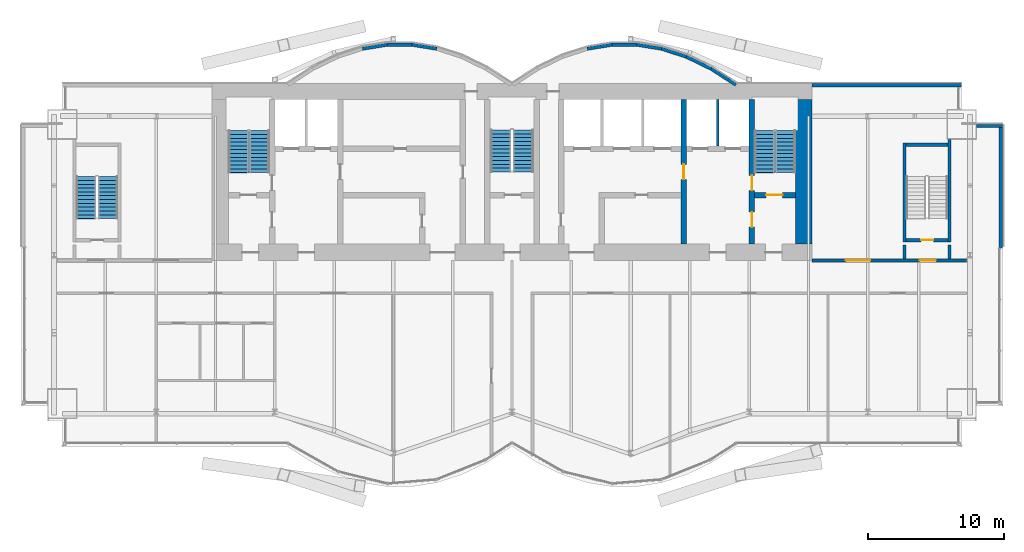
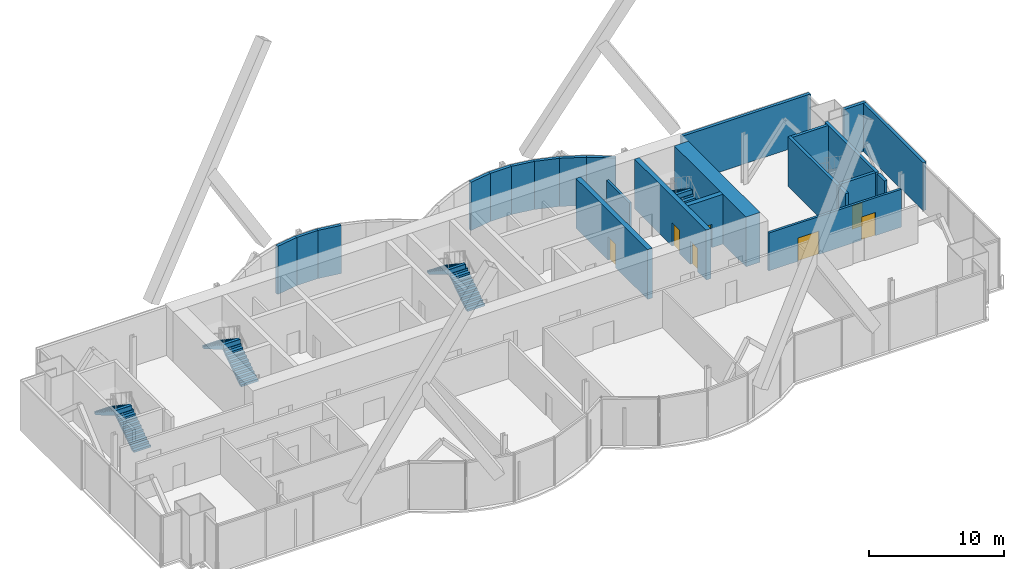
# One storey, part 16 of 20: 24 walls, 8 stair flights, 7 doors, 7 openings, 4 elements without a shape of their own.
"""IFC4 building model written with IfcOpenShell, lengths in metres."""

from ifc_helpers import new_model, si_unit, direction, frame, frame_2d, origin, place, context, subcontext, project, spatial, polyline, rectangle, outline, extrude, material, layer, layer_set, layer_usage, type_object, element, fill, aggregate, save


model = new_model("IFC4")

# Units and contexts
model_context = context("Model", 3, precision=1e-05, world=origin(), true_north=direction((0.0, 1.0)))
body_context = subcontext(model_context, "Body", "Model", "MODEL_VIEW")
ifc_project = project(units=[si_unit("LENGTHUNIT", "METRE"), si_unit("AREAUNIT", "SQUARE_METRE"), si_unit("VOLUMEUNIT", "CUBIC_METRE"), si_unit("PLANEANGLEUNIT", "RADIAN"), si_unit("MASSUNIT", "GRAM", prefix="KILO")], contexts=[model_context])

# Site, building, storey
site_placement = place(None, origin())
site = spatial("IfcSite", under=ifc_project, at=site_placement, CompositionType="ELEMENT")
building_placement = place(site_placement, origin())
building = spatial("IfcBuilding", under=site, at=building_placement, Name="Bicima Exchange Tower", CompositionType="ELEMENT")
storey_placement = place(building_placement, frame((0.0, 0.0, 306.5)))
storey = spatial("IfcBuildingStorey", under=building, at=storey_placement, Name="L69", CompositionType="ELEMENT", Elevation=306.5)

# Wall
ifc_material_1 = material(Name="Gypsum board partition")
ifc_layer_1 = layer(ifc_material_1, 0.199951171875)
ifc_layer_set_1 = layer_set([ifc_layer_1], Name="Gypsum board partition")
wall_type_1 = type_object("IfcWallType", Name="Fire-rated gypsum partition 200 EI120", PredefinedType="PARTITIONING", material=ifc_layer_set_1)
wall_1_placement = place(storey_placement, frame((15.10009765625, -4.60009765625, 0.0), z_axis=(0.0, 0.0, 1.0), x_axis=(0.0, 1.0, 0.0)))
element("IfcWall", 1, at=wall_1_placement, inside=storey, type_object=wall_type_1, Name="partition wall 20", PredefinedType="PARTITIONING", context=body_context, shape_type="SweptSolid", body=[
    extrude(rectangle(XDim=3.400146484375, YDim=0.199951171875, at=frame_2d((1.7001953125, 0.0))), origin(), (0.0, 0.0, 1.0), 3.418212890625),
])

# Wall, openings, doors
ifc_layer_2 = layer(ifc_material_1, 0.199951171875)
ifc_layer_set_2 = layer_set([ifc_layer_2], Name="Gypsum board partition")
wall_type_2 = type_object("IfcWallType", Name="Fire-rated gypsum partition 200 EI60", PredefinedType="PARTITIONING", material=ifc_layer_set_2)
wall_2_placement = place(storey_placement, frame((22.0, -13.0, 0.0), z_axis=(0.0, 0.0, 1.0), x_axis=(1.0, 0.0, 0.0)))
wall_2 = element("IfcWall", 2, at=wall_2_placement, inside=storey, type_object=wall_type_2, Name="partition wall 6", PredefinedType="PARTITIONING", context=body_context, shape_type="SweptSolid", body=[
    extrude(rectangle(XDim=11.340087890625, YDim=0.199951171875, at=frame_2d((5.669921875, 0.0))), origin(), (0.0, 0.0, 1.0), 3.418212890625),
])
opening_1_placement = place(wall_2_placement, frame((7.89990234375, 0.0, 0.0)))
opening_1 = element("IfcOpeningElement", 3, at=opening_1_placement, cuts=wall_2, Name="Opening L69-003", PredefinedType="OPENING", context=body_context, shape_type="SweptSolid", body=[
    extrude(rectangle(XDim=1.199951171875, YDim=2.10009765625, at=frame_2d((0.60009765625, 1.050048828125))), frame((0.0, 0.11181640625, 0.0), z_axis=(0.0, -1.0, 0.0), x_axis=(1.0, 0.0, 0.0)), (0.0, 0.0, 1.0), 0.223876953125),
])
opening_2_placement = place(wall_2_placement, frame((2.5, 0.0, 0.0)))
opening_2 = element("IfcOpeningElement", 4, at=opening_2_placement, cuts=wall_2, Name="Opening L69-006", PredefinedType="OPENING", context=body_context, shape_type="SweptSolid", body=[
    extrude(rectangle(XDim=1.800048828125, YDim=2.10009765625, at=frame_2d((0.89990234375, 1.050048828125))), frame((0.0, 0.11181640625, 0.0), z_axis=(0.0, -1.0, 0.0), x_axis=(1.0, 0.0, 0.0)), (0.0, 0.0, 1.0), 0.223876953125),
])
ifc_material_2 = material(Name="Steel fire door leaf", Category="steel")
door_type_1 = type_object("IfcDoorType", Name="Door 1200 swing FD30S", OperationType="SINGLE_SWING_LEFT", PredefinedType="DOOR", material=ifc_material_2)
door_1_placement = place(opening_1_placement, origin())
door_1 = element("IfcDoor", 5, at=door_1_placement, inside=storey, type_object=door_type_1, Name="Door", OperationType="SINGLE_SWING_RIGHT", OverallHeight=2.10009765625, OverallWidth=1.199951171875, PredefinedType="DOOR", context=body_context, shape_type="SweptSolid", body=[
    extrude(rectangle(XDim=1.199951171875, YDim=2.10009765625, at=frame_2d((0.60009765625, 1.050048828125))), frame((0.0, 0.02490234375, 0.0), z_axis=(0.0, -1.0, 0.0), x_axis=(1.0, 0.0, 0.0)), (0.0, 0.0, 1.0), 0.050048828125),
])
fill(opening_1, door_1)
door_type_2 = type_object("IfcDoorType", Name="Door 1800 double swing FD30S", OperationType="DOUBLE_DOOR_SINGLE_SWING", PredefinedType="DOOR", material=ifc_material_2)
door_2_placement = place(opening_2_placement, origin())
door_2 = element("IfcDoor", 6, at=door_2_placement, inside=storey, type_object=door_type_2, Name="Door", OperationType="SINGLE_SWING_LEFT", OverallHeight=2.10009765625, OverallWidth=1.800048828125, PredefinedType="DOOR", context=body_context, shape_type="SweptSolid", body=[
    extrude(rectangle(XDim=1.800048828125, YDim=2.10009765625, at=frame_2d((0.89990234375, 1.050048828125))), frame((0.0, 0.02490234375, 0.0), z_axis=(0.0, -1.0, 0.0), x_axis=(1.0, 0.0, 0.0)), (0.0, 0.0, 1.0), 0.050048828125),
])
fill(opening_2, door_2)

# Walls
ifc_material_3 = material(Name="Concrete C40/50", Category="concrete")
ifc_layer_3 = layer(ifc_material_3, 1.199951171875)
ifc_layer_set_3 = layer_set([ifc_layer_3], Name="Concrete C40/50")
wall_type_3 = type_object("IfcWallType", Name="RC core wall 1200 C40/50", PredefinedType="SHEAR", material=ifc_layer_set_3)
wall_3_placement = place(storey_placement, frame((21.39990234375, -11.800048828125, 0.0), z_axis=(0.0, 0.0, 1.0), x_axis=(0.0, 1.0, 0.0)))
element("IfcWall", 7, at=wall_3_placement, inside=storey, type_object=wall_type_3, Name="Core wall east", PredefinedType="SHEAR", context=body_context, shape_type="SweptSolid", body=[
    extrude(rectangle(XDim=10.60009765625, YDim=1.199951171875, at=frame_2d((5.300048828125, 0.0))), origin(), (0.0, 0.0, 1.0), 4.5),
])
ifc_material_4 = material(Name="Concrete C50/60", Category="concrete")
ifc_layer_4 = layer(ifc_material_4, 0.25)
ifc_layer_set_4 = layer_set([ifc_layer_4], Name="Concrete C50/60")
wall_type_4 = type_object("IfcWallType", Name="RC core wall 250 C50/60", PredefinedType="SHEAR", material=ifc_layer_set_4)
for number, where, z_axis, x_axis, name in (
    (8, (28.800048828125, -12.89990234375, 0.0), (0.0, 0.0, 1.0), (0.0, 1.0, 0.0), "stair wall 24"),
    (9, (32.10009765625, -12.89990234375, 0.0), (0.0, 0.0, 1.0), (0.0, 1.0, 0.0), "stair wall 25"),
):
    element("IfcWall", number, at=place(storey_placement, frame(where, z_axis=z_axis, x_axis=x_axis)), inside=storey, type_object=wall_type_4, Name=name, PredefinedType="SHEAR", context=body_context, shape_type="SweptSolid", body=[
        extrude(rectangle(XDim=1.0498046875, YDim=0.25, at=frame_2d((0.52490234375, 0.0))), origin(), (0.0, 0.0, 1.0), 4.5),
    ])

# Wall, opening, door
ifc_layer_5 = layer(ifc_material_3, 0.39990234375)
ifc_layer_set_5 = layer_set([ifc_layer_5], Name="Concrete C40/50")
wall_type_5 = type_object("IfcWallType", Name="RC core wall 400 C40/50", PredefinedType="SHEAR", material=ifc_layer_set_5)
wall_4_placement = place(storey_placement, frame((12.60009765625, -11.800048828125, 0.0), z_axis=(0.0, 0.0, 1.0), x_axis=(0.0, 1.0, 0.0)))
wall_4 = element("IfcWall", 10, at=wall_4_placement, inside=storey, type_object=wall_type_5, Name="shear wall 19", PredefinedType="SHEAR", context=body_context, shape_type="SweptSolid", body=[
    extrude(rectangle(XDim=10.60009765625, YDim=0.39990234375, at=frame_2d((5.300048828125, 0.0))), origin(), (0.0, 0.0, 1.0), 4.5),
])
opening_3_placement = place(wall_4_placement, frame((4.75, 0.0, 0.0)))
opening_3 = element("IfcOpeningElement", 11, at=opening_3_placement, cuts=wall_4, Name="Opening L69-C09", PredefinedType="OPENING", context=body_context, shape_type="SweptSolid", body=[
    extrude(rectangle(XDim=1.10009765625, YDim=2.10009765625, at=frame_2d((0.550048828125, 1.050048828125))), frame((0.0, 0.2119140625, 0.0), z_axis=(0.0, -1.0, 0.0), x_axis=(1.0, 0.0, 0.0)), (0.0, 0.0, 1.0), 0.423828125),
])
door_type_3 = type_object("IfcDoorType", Name="Door 1100 swing FD60S", OperationType="SINGLE_SWING_LEFT", PredefinedType="DOOR", material=ifc_material_2)
door_3_placement = place(opening_3_placement, frame((1.10009765625, 0.0, 0.0), z_axis=(0.0, 0.0, 1.0), x_axis=(-1.0, 0.0, 0.0)))
door_3 = element("IfcDoor", 12, at=door_3_placement, inside=storey, type_object=door_type_3, Name="Core door", OperationType="SINGLE_SWING_RIGHT", OverallHeight=2.10009765625, OverallWidth=1.10009765625, PredefinedType="DOOR", context=body_context, shape_type="SweptSolid", body=[
    extrude(rectangle(XDim=1.10009765625, YDim=2.10009765625, at=frame_2d((0.550048828125, 1.050048828125))), frame((0.0, 0.02490234375, 0.0), z_axis=(0.0, -1.0, 0.0), x_axis=(1.0, 0.0, 0.0)), (0.0, 0.0, 1.0), 0.050048828125),
])
fill(opening_3, door_3)

ifc_layer_6 = layer(ifc_material_4, 0.39990234375)
ifc_layer_set_6 = layer_set([ifc_layer_6], Name="Concrete C50/60")
wall_type_6 = type_object("IfcWallType", Name="RC core wall 400 C50/60", PredefinedType="SHEAR", material=ifc_layer_set_6)
wall_5_placement = place(storey_placement, frame((17.800048828125, -8.199951171875, 0.0), z_axis=(0.0, 0.0, 1.0), x_axis=(1.0, 0.0, 0.0)))
wall_5 = element("IfcWall", 13, at=wall_5_placement, inside=storey, type_object=wall_type_6, Name="stair wall 5", PredefinedType="SHEAR", context=body_context, shape_type="SweptSolid", body=[
    extrude(rectangle(XDim=3.0, YDim=0.39990234375, at=frame_2d((1.5, 0.0))), origin(), (0.0, 0.0, 1.0), 4.5),
])
opening_4_placement = place(wall_5_placement, frame((0.85009765625, 0.0, 0.0)))
opening_4 = element("IfcOpeningElement", 14, at=opening_4_placement, cuts=wall_5, Name="Opening L69-C04", PredefinedType="OPENING", context=body_context, shape_type="SweptSolid", body=[
    extrude(rectangle(XDim=1.199951171875, YDim=2.10009765625, at=frame_2d((0.60009765625, 1.050048828125))), frame((0.0, 0.2119140625, 0.0), z_axis=(0.0, -1.0, 0.0), x_axis=(1.0, 0.0, 0.0)), (0.0, 0.0, 1.0), 0.423828125),
])
door_type_4 = type_object("IfcDoorType", Name="Door 1200 swing FD60S", OperationType="SINGLE_SWING_LEFT", PredefinedType="DOOR", material=ifc_material_2)
door_4_placement = place(opening_4_placement, origin())
door_4 = element("IfcDoor", 15, at=door_4_placement, inside=storey, type_object=door_type_4, Name="Core door", OperationType="SINGLE_SWING_RIGHT", OverallHeight=2.10009765625, OverallWidth=1.199951171875, PredefinedType="DOOR", context=body_context, shape_type="SweptSolid", body=[
    extrude(rectangle(XDim=1.199951171875, YDim=2.10009765625, at=frame_2d((0.60009765625, 1.050048828125))), frame((0.0, 0.02490234375, 0.0), z_axis=(0.0, -1.0, 0.0), x_axis=(1.0, 0.0, 0.0)), (0.0, 0.0, 1.0), 0.050048828125),
])
fill(opening_4, door_4)

# Wall, openings, doors
wall_6_placement = place(storey_placement, frame((17.60009765625, -11.800048828125, 0.0), z_axis=(0.0, 0.0, 1.0), x_axis=(0.0, 1.0, 0.0)))
wall_6 = element("IfcWall", 16, at=wall_6_placement, inside=storey, type_object=wall_type_6, Name="stair wall 21", PredefinedType="SHEAR", context=body_context, shape_type="SweptSolid", body=[
    extrude(rectangle(XDim=10.60009765625, YDim=0.39990234375, at=frame_2d((5.300048828125, 0.0))), origin(), (0.0, 0.0, 1.0), 4.5),
])
opening_5_placement = place(wall_6_placement, frame((1.25, 0.0, 0.0)))
opening_5 = element("IfcOpeningElement", 17, at=opening_5_placement, cuts=wall_6, Name="Opening L69-C05", PredefinedType="OPENING", context=body_context, shape_type="SweptSolid", body=[
    extrude(rectangle(XDim=1.10009765625, YDim=2.10009765625, at=frame_2d((0.550048828125, 1.050048828125))), frame((0.0, 0.2119140625, 0.0), z_axis=(0.0, -1.0, 0.0), x_axis=(1.0, 0.0, 0.0)), (0.0, 0.0, 1.0), 0.423828125),
])
opening_6_placement = place(wall_6_placement, frame((3.949951171875, 0.0, 0.0)))
opening_6 = element("IfcOpeningElement", 18, at=opening_6_placement, cuts=wall_6, Name="Opening L69-C08", PredefinedType="OPENING", context=body_context, shape_type="SweptSolid", body=[
    extrude(rectangle(XDim=1.10009765625, YDim=2.10009765625, at=frame_2d((0.550048828125, 1.050048828125))), frame((0.0, 0.2119140625, 0.0), z_axis=(0.0, -1.0, 0.0), x_axis=(1.0, 0.0, 0.0)), (0.0, 0.0, 1.0), 0.423828125),
])
door_5_placement = place(opening_5_placement, origin())
door_5 = element("IfcDoor", 19, at=door_5_placement, inside=storey, type_object=door_type_3, Name="Core door", OperationType="SINGLE_SWING_LEFT", OverallHeight=2.10009765625, OverallWidth=1.10009765625, PredefinedType="DOOR", context=body_context, shape_type="SweptSolid", body=[
    extrude(rectangle(XDim=1.10009765625, YDim=2.10009765625, at=frame_2d((0.550048828125, 1.050048828125))), frame((0.0, 0.02490234375, 0.0), z_axis=(0.0, -1.0, 0.0), x_axis=(1.0, 0.0, 0.0)), (0.0, 0.0, 1.0), 0.050048828125),
])
fill(opening_5, door_5)
door_6_placement = place(opening_6_placement, origin())
door_6 = element("IfcDoor", 20, at=door_6_placement, inside=storey, type_object=door_type_3, Name="Core door", OperationType="SINGLE_SWING_RIGHT", OverallHeight=2.10009765625, OverallWidth=1.10009765625, PredefinedType="DOOR", context=body_context, shape_type="SweptSolid", body=[
    extrude(rectangle(XDim=1.10009765625, YDim=2.10009765625, at=frame_2d((0.550048828125, 1.050048828125))), frame((0.0, 0.02490234375, 0.0), z_axis=(0.0, -1.0, 0.0), x_axis=(1.0, 0.0, 0.0)), (0.0, 0.0, 1.0), 0.050048828125),
])
fill(opening_6, door_6)

# Walls
ifc_layer_7 = layer(ifc_material_4, 0.25)
ifc_layer_set_7 = layer_set([ifc_layer_7], Name="Concrete C50/60")
wall_type_7 = type_object("IfcWallType", Name="RC stair enclosure wall 250 C50/60", PredefinedType="SHEAR", material=ifc_layer_set_7)
wall_7_placement = place(storey_placement, frame((28.800048828125, -11.625, 0.0), z_axis=(0.0, 0.0, 1.0), x_axis=(0.0, 1.0, 0.0)))
element("IfcWall", 21, at=wall_7_placement, inside=storey, type_object=wall_type_7, Name="East end exit stair wall W", PredefinedType="SHEAR", context=body_context, shape_type="SweptSolid", body=[
    extrude(rectangle(XDim=7.25, YDim=0.25, at=frame_2d((3.625, 0.0))), origin(), (0.0, 0.0, 1.0), 4.5),
])
wall_8_placement = place(storey_placement, frame((32.10009765625, -11.625, 0.0), z_axis=(0.0, 0.0, 1.0), x_axis=(0.0, 1.0, 0.0)))
element("IfcWall", 22, at=wall_8_placement, inside=storey, type_object=wall_type_7, Name="East end exit stair wall E", PredefinedType="SHEAR", context=body_context, shape_type="SweptSolid", body=[
    extrude(rectangle(XDim=7.52490234375, YDim=0.25, at=frame_2d((3.762451171875, 0.0))), origin(), (0.0, 0.0, 1.0), 4.5),
])

# Wall, opening, door
wall_9_placement = place(storey_placement, frame((28.925048828125, -11.5, 0.0), z_axis=(0.0, 0.0, 1.0), x_axis=(1.0, 0.0, 0.0)))
wall_9 = element("IfcWall", 23, at=wall_9_placement, inside=storey, type_object=wall_type_7, Name="East end exit stair wall S", PredefinedType="SHEAR", context=body_context, shape_type="SweptSolid", body=[
    extrude(rectangle(XDim=3.050048828125, YDim=0.25, at=frame_2d((1.52490234375, 0.0))), origin(), (0.0, 0.0, 1.0), 4.5),
])
opening_7_placement = place(wall_9_placement, frame((1.10009765625, 0.0, 0.0)))
opening_7 = element("IfcOpeningElement", 24, at=opening_7_placement, cuts=wall_9, Name="Opening L69-004", PredefinedType="OPENING", context=body_context, shape_type="SweptSolid", body=[
    extrude(rectangle(XDim=0.89990234375, YDim=2.10009765625, at=frame_2d((0.449951171875, 1.050048828125))), frame((0.0, 0.136962890625, 0.0), z_axis=(0.0, -1.0, 0.0), x_axis=(1.0, 0.0, 0.0)), (0.0, 0.0, 1.0), 0.27392578125),
])
door_type_5 = type_object("IfcDoorType", Name="Door 900 swing FD60S", OperationType="SINGLE_SWING_LEFT", PredefinedType="DOOR", material=ifc_material_2)
door_7_placement = place(opening_7_placement, origin())
door_7 = element("IfcDoor", 25, at=door_7_placement, inside=storey, type_object=door_type_5, Name="Door", OperationType="SINGLE_SWING_LEFT", OverallHeight=2.10009765625, OverallWidth=0.89990234375, PredefinedType="DOOR", context=body_context, shape_type="SweptSolid", body=[
    extrude(rectangle(XDim=0.89990234375, YDim=2.10009765625, at=frame_2d((0.449951171875, 1.050048828125))), frame((0.0, 0.02490234375, 0.0), z_axis=(0.0, -1.0, 0.0), x_axis=(1.0, 0.0, 0.0)), (0.0, 0.0, 1.0), 0.050048828125),
])
fill(opening_7, door_7)

# Walls
wall_10_placement = place(storey_placement, frame((28.925048828125, -4.5, 0.0), z_axis=(0.0, 0.0, 1.0), x_axis=(1.0, 0.0, 0.0)))
element("IfcWall", 26, at=wall_10_placement, inside=storey, type_object=wall_type_7, Name="East end exit stair wall N", PredefinedType="SHEAR", context=body_context, shape_type="SweptSolid", body=[
    extrude(rectangle(XDim=3.050048828125, YDim=0.25, at=frame_2d((1.52490234375, 0.0))), origin(), (0.0, 0.0, 1.0), 4.5),
])
ifc_layer_8 = layer(ifc_material_3, 0.25)
ifc_layer_set_8 = layer_set([ifc_layer_8], Name="Concrete C40/50")
ifc_layer_usage = layer_usage(ifc_layer_set_8, "AXIS2", "POSITIVE", -0.125)
wall_type_8 = type_object("IfcWallType", Name="Rear backup wall 250", PredefinedType="STANDARD", material=ifc_layer_set_8)
wall_11_placement = place(storey_placement, frame((33.0, -0.125, 0.0), z_axis=(0.0, 0.0, 1.0), x_axis=(-1.0, 0.0, 0.0)))
element("IfcWall", 27, at=wall_11_placement, inside=storey, type_object=wall_type_8, material=ifc_layer_usage, Name="Rear backup wall L69 1", PredefinedType="STANDARD", context=body_context, shape_type="SweptSolid", body=[
    extrude(rectangle(XDim=11.0, YDim=0.25, at=frame_2d((5.5, 0.0))), origin(), (0.0, 0.0, 1.0), 4.35009765625),
])
wall_12_placement = place(storey_placement, frame((16.43212890625, -0.10498046875, 0.0), z_axis=(0.0, 0.0, 1.0), x_axis=(-0.83981312244, 0.542875602121, 0.0)))
element("IfcWall", 28, at=wall_12_placement, inside=storey, type_object=wall_type_8, material=ifc_layer_usage, Name="Rear backup wall L69 2", PredefinedType="STANDARD", context=body_context, shape_type="SweptSolid", body=[
    extrude(rectangle(XDim=2.182861328125, YDim=0.25, at=frame_2d((1.09130859375, 0.0))), origin(), (0.0, 0.0, 1.0), 4.35009765625),
])
wall_13_placement = place(storey_placement, frame((14.6123046875, 1.07275390625, 0.0), z_axis=(0.0, 0.0, 1.0), x_axis=(-0.89982408427, 0.436252928206, 0.0)))
element("IfcWall", 29, at=wall_13_placement, inside=storey, type_object=wall_type_8, material=ifc_layer_usage, Name="Rear backup wall L69 3", PredefinedType="STANDARD", context=body_context, shape_type="SweptSolid", body=[
    extrude(rectangle(XDim=2.03759765625, YDim=0.25, at=frame_2d((1.018798828125, 0.0))), origin(), (0.0, 0.0, 1.0), 4.35009765625),
])
wall_14_placement = place(storey_placement, frame((12.794921875, 1.955078125, 0.0), z_axis=(0.0, 0.0, 1.0), x_axis=(-0.951495806175, 0.307661714928, 0.0)))
element("IfcWall", 30, at=wall_14_placement, inside=storey, type_object=wall_type_8, material=ifc_layer_usage, Name="Rear backup wall L69 4", PredefinedType="STANDARD", context=body_context, shape_type="SweptSolid", body=[
    extrude(rectangle(XDim=1.9267578125, YDim=0.25, at=frame_2d((0.96337890625, 0.0))), origin(), (0.0, 0.0, 1.0), 4.35009765625),
])
wall_15_placement = place(storey_placement, frame((10.97998046875, 2.543212890625, 0.0), z_axis=(0.0, 0.0, 1.0), x_axis=(-0.987181718931, 0.159600293885, 0.0)))
element("IfcWall", 31, at=wall_15_placement, inside=storey, type_object=wall_type_8, material=ifc_layer_usage, Name="Rear backup wall L69 5", PredefinedType="STANDARD", context=body_context, shape_type="SweptSolid", body=[
    extrude(rectangle(XDim=1.857177734375, YDim=0.25, at=frame_2d((0.9287109375, 0.0))), origin(), (0.0, 0.0, 1.0), 4.35009765625),
])
wall_16_placement = place(storey_placement, frame((9.166748046875, 2.837890625, 0.0), z_axis=(0.0, 0.0, 1.0), x_axis=(-1.0, 0.0, 0.0)))
element("IfcWall", 32, at=wall_16_placement, inside=storey, type_object=wall_type_8, material=ifc_layer_usage, Name="Rear backup wall L69 6", PredefinedType="STANDARD", context=body_context, shape_type="SweptSolid", body=[
    extrude(rectangle(XDim=1.83349609375, YDim=0.25, at=frame_2d((0.916748046875, 0.0))), origin(), (0.0, 0.0, 1.0), 4.35009765625),
])
for number, where, z_axis, x_axis, name in (
    (33, (7.353271484375, 2.839599609375, 0.0), (0.0, 0.0, 1.0), (-0.987181718931, -0.159600293885, 0.0), "Rear backup wall L69 7"),
    (34, (-5.52001953125, 2.543212890625, 0.0), (0.0, 0.0, 1.0), (-0.987181718931, 0.159600293885, 0.0), "Rear backup wall L69 14"),
):
    element("IfcWall", number, at=place(storey_placement, frame(where, z_axis=z_axis, x_axis=x_axis)), inside=storey, type_object=wall_type_8, material=ifc_layer_usage, Name=name, PredefinedType="STANDARD", context=body_context, shape_type="SweptSolid", body=[
        extrude(rectangle(XDim=1.857177734375, YDim=0.25, at=frame_2d((0.9287109375, 0.0))), origin(), (0.0, 0.0, 1.0), 4.35009765625),
    ])
wall_17_placement = place(storey_placement, frame((-7.333251953125, 2.837890625, 0.0), z_axis=(0.0, 0.0, 1.0), x_axis=(-1.0, 0.0, 0.0)))
element("IfcWall", 35, at=wall_17_placement, inside=storey, type_object=wall_type_8, material=ifc_layer_usage, Name="Rear backup wall L69 15", PredefinedType="STANDARD", context=body_context, shape_type="SweptSolid", body=[
    extrude(rectangle(XDim=1.83349609375, YDim=0.25, at=frame_2d((0.916748046875, 0.0))), origin(), (0.0, 0.0, 1.0), 4.35009765625),
])
wall_18_placement = place(storey_placement, frame((-9.146728515625, 2.839599609375, 0.0), z_axis=(0.0, 0.0, 1.0), x_axis=(-0.987181718931, -0.159600293885, 0.0)))
element("IfcWall", 36, at=wall_18_placement, inside=storey, type_object=wall_type_8, material=ifc_layer_usage, Name="Rear backup wall L69 16", PredefinedType="STANDARD", context=body_context, shape_type="SweptSolid", body=[
    extrude(rectangle(XDim=1.857177734375, YDim=0.25, at=frame_2d((0.9287109375, 0.0))), origin(), (0.0, 0.0, 1.0), 4.35009765625),
])
wall_19_placement = place(storey_placement, frame((35.875, -12.090087890625, 0.0), z_axis=(0.0, 0.0, 1.0), x_axis=(0.0, 1.0, 0.0)))
element("IfcWall", 37, at=wall_19_placement, inside=storey, type_object=wall_type_8, material=ifc_layer_usage, Name="Rear backup wall L69 50", PredefinedType="STANDARD", context=body_context, shape_type="SweptSolid", body=[
    extrude(rectangle(XDim=9.090087890625, YDim=0.25, at=frame_2d((4.544921875, 0.0))), origin(), (0.0, 0.0, 1.0), 4.35009765625),
])
wall_20_placement = place(storey_placement, frame((36.0, -3.125, 0.0), z_axis=(0.0, 0.0, 1.0), x_axis=(-1.0, 0.0, 0.0)))
element("IfcWall", 38, at=wall_20_placement, inside=storey, type_object=wall_type_8, material=ifc_layer_usage, Name="Rear backup wall L69 51", PredefinedType="STANDARD", context=body_context, shape_type="SweptSolid", body=[
    extrude(rectangle(XDim=1.89990234375, YDim=0.25, at=frame_2d((0.949951171875, 0.0))), origin(), (0.0, 0.0, 1.0), 4.35009765625),
])

# Stair, stair flights
stair_type_1 = type_object("IfcStairType", Name="Exit stair", PredefinedType="HALF_TURN_STAIR", material=ifc_material_4)
stair_1_placement = place(storey_placement, origin())
stair_1 = element("IfcStair", 39, at=stair_1_placement, inside=storey, type_object=stair_type_1, Name="L69 West exit stair", PredefinedType="HALF_TURN_STAIR")
stair_flight_type_1 = type_object("IfcStairFlightType", Name="Stair flight RC", PredefinedType="STRAIGHT", material=ifc_material_4)
stair_flight_1_placement = place(storey_placement, frame((-18.52490234375, -6.550048828125, 0.0), z_axis=(0.0, 0.0, 1.0), x_axis=(0.0, 1.0, 0.0)))
stair_flight_1 = element("IfcStairFlight", 40, at=stair_flight_1_placement, type_object=stair_flight_type_1, Name="ST-W flight 1", NumberOfRisers=12, NumberOfTreads=11, PredefinedType="STRAIGHT", RiserHeight=0.1875, TreadLength=0.28, context=body_context, shape_type="SweptSolid", body=[
    extrude(outline(polyline([(0.0, 0.0), (0.0, 0.1875), (0.280029296875, 0.1875), (0.280029296875, 0.375), (0.56005859375, 0.375), (0.56005859375, 0.5625), (0.840087890625, 0.5625), (0.840087890625, 0.75), (1.1201171875, 0.75), (1.1201171875, 0.9375), (1.39990234375, 0.9375), (1.39990234375, 1.125), (1.679931640625, 1.125), (1.679931640625, 1.3125), (1.9599609375, 1.3125), (1.9599609375, 1.5), (2.239990234375, 1.5), (2.239990234375, 1.6875), (2.52001953125, 1.6875), (2.52001953125, 1.875), (2.800048828125, 1.875), (2.800048828125, 2.0625), (3.080078125, 2.0625), (3.080078125, 2.25), (3.080078125, 1.882080078125), (0.26953125, 0.0), (0.0, 0.0)])), frame((0.0, 0.72509765625, 0.0), z_axis=(0.0, -1.0, 0.0), x_axis=(1.0, 0.0, 0.0)), (0.0, 0.0, 1.0), 1.449951171875),
])
stair_flight_2_placement = place(storey_placement, frame((-20.074951171875, -3.469970703125, 2.25), z_axis=(0.0, 0.0, 1.0), x_axis=(0.0, -1.0, 0.0)))
stair_flight_2 = element("IfcStairFlight", 41, at=stair_flight_2_placement, type_object=stair_flight_type_1, Name="ST-W flight 2", NumberOfRisers=12, NumberOfTreads=11, PredefinedType="STRAIGHT", RiserHeight=0.1875, TreadLength=0.28, context=body_context, shape_type="SweptSolid", body=[
    extrude(outline(polyline([(0.0, 0.0), (0.0, 0.1875), (0.280029296875, 0.1875), (0.280029296875, 0.375), (0.56005859375, 0.375), (0.56005859375, 0.5625), (0.840087890625, 0.5625), (0.840087890625, 0.75), (1.1201171875, 0.75), (1.1201171875, 0.9375), (1.39990234375, 0.9375), (1.39990234375, 1.125), (1.679931640625, 1.125), (1.679931640625, 1.3125), (1.9599609375, 1.3125), (1.9599609375, 1.5), (2.239990234375, 1.5), (2.239990234375, 1.6875), (2.52001953125, 1.6875), (2.52001953125, 1.875), (2.800048828125, 1.875), (2.800048828125, 2.0625), (3.080078125, 2.0625), (3.080078125, 2.10400390625), (3.094970703125, 2.10400390625), (3.094970703125, 1.70458984375), (0.26953125, 0.0), (0.0, 0.0)])), frame((0.0, 0.72509765625, 0.0), z_axis=(0.0, -1.0, 0.0), x_axis=(1.0, 0.0, 0.0)), (0.0, 0.0, 1.0), 1.449951171875),
])
aggregate(stair_1, [stair_flight_1, stair_flight_2])

stair_2_placement = place(storey_placement, origin())
stair_2 = element("IfcStair", 42, at=stair_2_placement, inside=storey, type_object=stair_type_1, Name="L69 East exit stair", PredefinedType="HALF_TURN_STAIR")
stair_flight_3_placement = place(storey_placement, frame((20.074951171875, -6.550048828125, 0.0), z_axis=(0.0, 0.0, 1.0), x_axis=(0.0, 1.0, 0.0)))
stair_flight_3 = element("IfcStairFlight", 43, at=stair_flight_3_placement, type_object=stair_flight_type_1, Name="ST-E flight 1", NumberOfRisers=12, NumberOfTreads=11, PredefinedType="STRAIGHT", RiserHeight=0.1875, TreadLength=0.28, context=body_context, shape_type="SweptSolid", body=[
    extrude(outline(polyline([(0.0, 0.0), (0.0, 0.1875), (0.280029296875, 0.1875), (0.280029296875, 0.375), (0.56005859375, 0.375), (0.56005859375, 0.5625), (0.840087890625, 0.5625), (0.840087890625, 0.75), (1.1201171875, 0.75), (1.1201171875, 0.9375), (1.39990234375, 0.9375), (1.39990234375, 1.125), (1.679931640625, 1.125), (1.679931640625, 1.3125), (1.9599609375, 1.3125), (1.9599609375, 1.5), (2.239990234375, 1.5), (2.239990234375, 1.6875), (2.52001953125, 1.6875), (2.52001953125, 1.875), (2.800048828125, 1.875), (2.800048828125, 2.0625), (3.080078125, 2.0625), (3.080078125, 2.25), (3.080078125, 1.882080078125), (0.26953125, 0.0), (0.0, 0.0)])), frame((0.0, 0.72509765625, 0.0), z_axis=(0.0, -1.0, 0.0), x_axis=(1.0, 0.0, 0.0)), (0.0, 0.0, 1.0), 1.449951171875),
])
stair_flight_4_placement = place(storey_placement, frame((18.52490234375, -3.469970703125, 2.25), z_axis=(0.0, 0.0, 1.0), x_axis=(0.0, -1.0, 0.0)))
stair_flight_4 = element("IfcStairFlight", 44, at=stair_flight_4_placement, type_object=stair_flight_type_1, Name="ST-E flight 2", NumberOfRisers=12, NumberOfTreads=11, PredefinedType="STRAIGHT", RiserHeight=0.1875, TreadLength=0.28, context=body_context, shape_type="SweptSolid", body=[
    extrude(outline(polyline([(0.0, 0.0), (0.0, 0.1875), (0.280029296875, 0.1875), (0.280029296875, 0.375), (0.56005859375, 0.375), (0.56005859375, 0.5625), (0.840087890625, 0.5625), (0.840087890625, 0.75), (1.1201171875, 0.75), (1.1201171875, 0.9375), (1.39990234375, 0.9375), (1.39990234375, 1.125), (1.679931640625, 1.125), (1.679931640625, 1.3125), (1.9599609375, 1.3125), (1.9599609375, 1.5), (2.239990234375, 1.5), (2.239990234375, 1.6875), (2.52001953125, 1.6875), (2.52001953125, 1.875), (2.800048828125, 1.875), (2.800048828125, 2.0625), (3.080078125, 2.0625), (3.080078125, 2.10400390625), (3.094970703125, 2.10400390625), (3.094970703125, 1.70458984375), (0.26953125, 0.0), (0.0, 0.0)])), frame((0.0, 0.72509765625, 0.0), z_axis=(0.0, -1.0, 0.0), x_axis=(1.0, 0.0, 0.0)), (0.0, 0.0, 1.0), 1.449951171875),
])
aggregate(stair_2, [stair_flight_3, stair_flight_4])

stair_3_placement = place(storey_placement, origin())
stair_3 = element("IfcStair", 45, at=stair_3_placement, inside=storey, type_object=stair_type_1, Name="L69 West end exit stair", PredefinedType="HALF_TURN_STAIR")
stair_flight_5_placement = place(storey_placement, frame((-29.64990234375, -9.925048828125, 0.0), z_axis=(0.0, 0.0, 1.0), x_axis=(0.0, 1.0, 0.0)))
stair_flight_5 = element("IfcStairFlight", 46, at=stair_flight_5_placement, type_object=stair_flight_type_1, Name="ST-WW flight 1", NumberOfRisers=12, NumberOfTreads=11, PredefinedType="STRAIGHT", RiserHeight=0.1875, TreadLength=0.28, context=body_context, shape_type="SweptSolid", body=[
    extrude(outline(polyline([(0.0, 0.0), (0.0, 0.1875), (0.280029296875, 0.1875), (0.280029296875, 0.375), (0.56005859375, 0.375), (0.56005859375, 0.5625), (0.840087890625, 0.5625), (0.840087890625, 0.75), (1.1201171875, 0.75), (1.1201171875, 0.9375), (1.39990234375, 0.9375), (1.39990234375, 1.125), (1.679931640625, 1.125), (1.679931640625, 1.3125), (1.9599609375, 1.3125), (1.9599609375, 1.5), (2.239990234375, 1.5), (2.239990234375, 1.6875), (2.52001953125, 1.6875), (2.52001953125, 1.875), (2.800048828125, 1.875), (2.800048828125, 2.0625), (3.080078125, 2.0625), (3.080078125, 2.25), (3.080078125, 1.882080078125), (0.26953125, 0.0), (0.0, 0.0)])), frame((0.0, 0.72509765625, 0.0), z_axis=(0.0, -1.0, 0.0), x_axis=(1.0, 0.0, 0.0)), (0.0, 0.0, 1.0), 1.449951171875),
])
stair_flight_6_placement = place(storey_placement, frame((-31.25, -6.844970703125, 2.25), z_axis=(0.0, 0.0, 1.0), x_axis=(0.0, -1.0, 0.0)))
stair_flight_6 = element("IfcStairFlight", 47, at=stair_flight_6_placement, type_object=stair_flight_type_1, Name="ST-WW flight 2", NumberOfRisers=12, NumberOfTreads=11, PredefinedType="STRAIGHT", RiserHeight=0.1875, TreadLength=0.28, context=body_context, shape_type="SweptSolid", body=[
    extrude(outline(polyline([(0.0, 0.0), (0.0, 0.1875), (0.280029296875, 0.1875), (0.280029296875, 0.375), (0.56005859375, 0.375), (0.56005859375, 0.5625), (0.840087890625, 0.5625), (0.840087890625, 0.75), (1.1201171875, 0.75), (1.1201171875, 0.9375), (1.39990234375, 0.9375), (1.39990234375, 1.125), (1.679931640625, 1.125), (1.679931640625, 1.3125), (1.9599609375, 1.3125), (1.9599609375, 1.5), (2.239990234375, 1.5), (2.239990234375, 1.6875), (2.52001953125, 1.6875), (2.52001953125, 1.875), (2.800048828125, 1.875), (2.800048828125, 2.0625), (3.080078125, 2.0625), (3.080078125, 2.10400390625), (3.094970703125, 2.10400390625), (3.094970703125, 1.70458984375), (0.26953125, 0.0), (0.0, 0.0)])), frame((0.0, 0.72509765625, 0.0), z_axis=(0.0, -1.0, 0.0), x_axis=(1.0, 0.0, 0.0)), (0.0, 0.0, 1.0), 1.449951171875),
])
aggregate(stair_3, [stair_flight_5, stair_flight_6])

stair_type_2 = type_object("IfcStairType", Name="Exit stair 1500", PredefinedType="HALF_TURN_STAIR", material=ifc_material_4)
stair_4_placement = place(storey_placement, origin())
stair_4 = element("IfcStair", 48, at=stair_4_placement, inside=storey, type_object=stair_type_2, Name="L69 Central exit stair", PredefinedType="HALF_TURN_STAIR")
stair_flight_type_2 = type_object("IfcStairFlightType", Name="Stair flight RC 1500", PredefinedType="STRAIGHT", material=ifc_material_4)
stair_flight_7_placement = place(storey_placement, frame((0.824951171875, -6.5, 0.0), z_axis=(0.0, 0.0, 1.0), x_axis=(0.0, 1.0, 0.0)))
stair_flight_7 = element("IfcStairFlight", 49, at=stair_flight_7_placement, type_object=stair_flight_type_2, Name="ST-C flight 1", NumberOfRisers=12, NumberOfTreads=11, PredefinedType="STRAIGHT", RiserHeight=0.1875, TreadLength=0.28, context=body_context, shape_type="SweptSolid", body=[
    extrude(outline(polyline([(0.0, 0.0), (0.0, 0.1875), (0.280029296875, 0.1875), (0.280029296875, 0.375), (0.56005859375, 0.375), (0.56005859375, 0.5625), (0.840087890625, 0.5625), (0.840087890625, 0.75), (1.1201171875, 0.75), (1.1201171875, 0.9375), (1.39990234375, 0.9375), (1.39990234375, 1.125), (1.679931640625, 1.125), (1.679931640625, 1.3125), (1.9599609375, 1.3125), (1.9599609375, 1.5), (2.239990234375, 1.5), (2.239990234375, 1.6875), (2.52001953125, 1.6875), (2.52001953125, 1.875), (2.800048828125, 1.875), (2.800048828125, 2.0625), (3.080078125, 2.0625), (3.080078125, 2.25), (3.080078125, 1.882080078125), (0.26953125, 0.0), (0.0, 0.0)])), frame((0.0, 0.75, 0.0), z_axis=(0.0, -1.0, 0.0), x_axis=(1.0, 0.0, 0.0)), (0.0, 0.0, 1.0), 1.5),
])
stair_flight_8_placement = place(storey_placement, frame((-0.824951171875, -3.419921875, 2.25), z_axis=(0.0, 0.0, 1.0), x_axis=(0.0, -1.0, 0.0)))
stair_flight_8 = element("IfcStairFlight", 50, at=stair_flight_8_placement, type_object=stair_flight_type_2, Name="ST-C flight 2", NumberOfRisers=12, NumberOfTreads=11, PredefinedType="STRAIGHT", RiserHeight=0.1875, TreadLength=0.28, context=body_context, shape_type="SweptSolid", body=[
    extrude(outline(polyline([(0.0, 0.0), (0.0, 0.1875), (0.280029296875, 0.1875), (0.280029296875, 0.375), (0.56005859375, 0.375), (0.56005859375, 0.5625), (0.840087890625, 0.5625), (0.840087890625, 0.75), (1.1201171875, 0.75), (1.1201171875, 0.9375), (1.39990234375, 0.9375), (1.39990234375, 1.125), (1.679931640625, 1.125), (1.679931640625, 1.3125), (1.9599609375, 1.3125), (1.9599609375, 1.5), (2.239990234375, 1.5), (2.239990234375, 1.6875), (2.52001953125, 1.6875), (2.52001953125, 1.875), (2.800048828125, 1.875), (2.800048828125, 2.0625), (3.080078125, 2.0625), (3.080078125, 2.10400390625), (3.094970703125, 2.10400390625), (3.094970703125, 1.70458984375), (0.26953125, 0.0), (0.0, 0.0)])), frame((0.0, 0.75, 0.0), z_axis=(0.0, -1.0, 0.0), x_axis=(1.0, 0.0, 0.0)), (0.0, 0.0, 1.0), 1.5),
])
aggregate(stair_4, [stair_flight_7, stair_flight_8])

save(model, "model.ifc")
